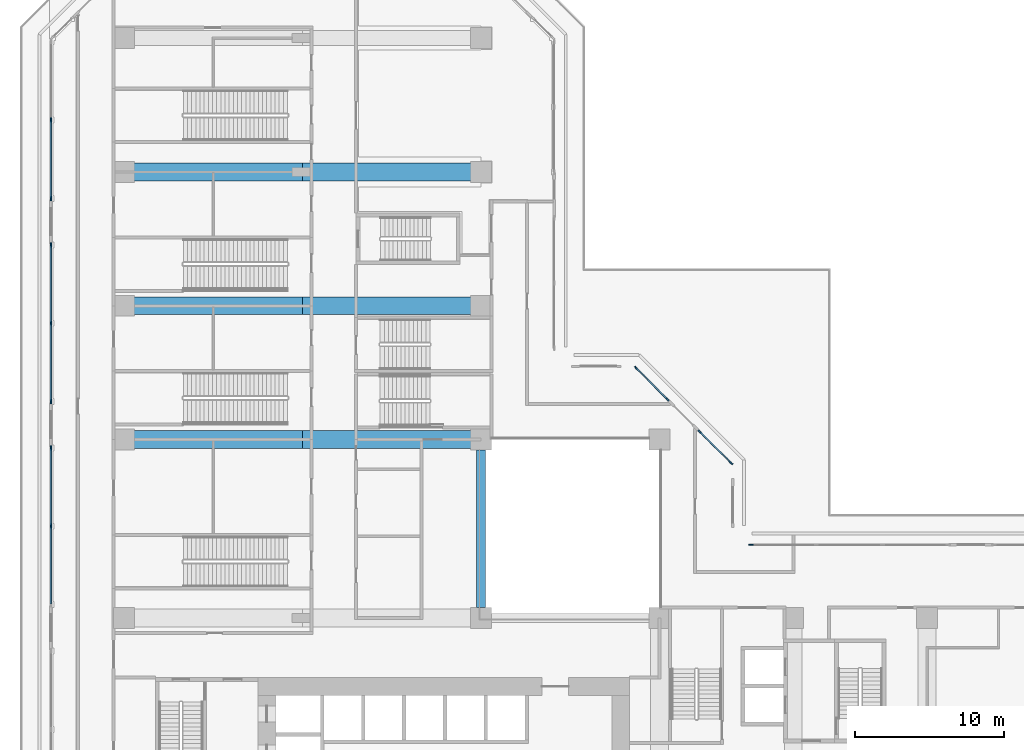
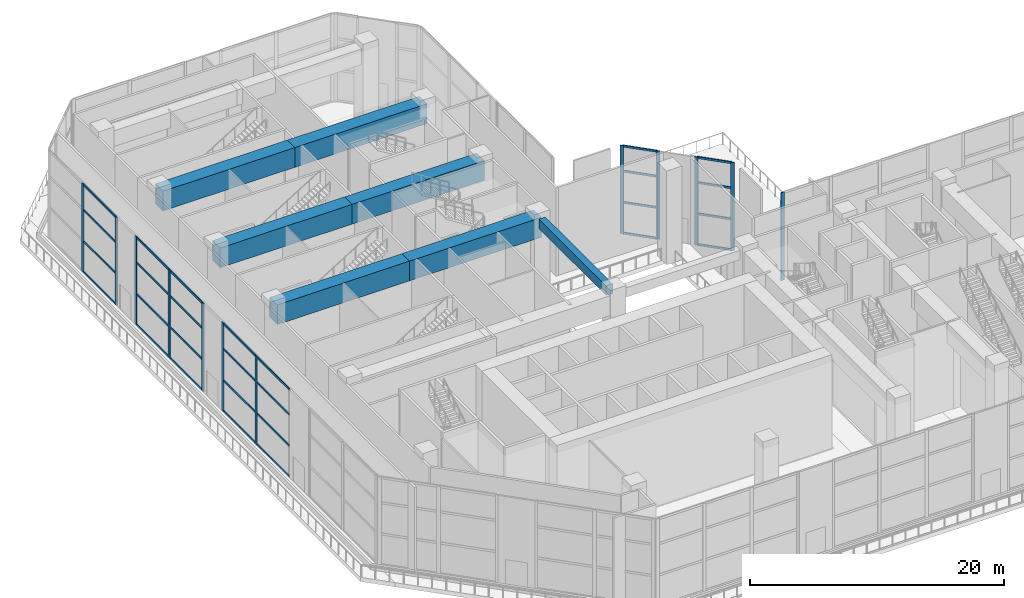
# One storey, part 4 of 28: 40 members, 7 beams, 6 elements without a shape of their own.
"""IFC4 building model written with IfcOpenShell, lengths in metres."""

from ifc_helpers import new_model, si_unit, direction, frame, frame_2d, origin, origin_2d, place, context, subcontext, project, spatial, rectangle, extrude, material, layer, layer_set, material_profile, profile_set, type_object, element, aggregate, save


model = new_model("IFC4")

# Units and contexts
model_context = context("Model", 3, precision=1e-05, world=origin(), true_north=direction((0.0, 1.0)))
body_context = subcontext(model_context, "Body", "Model", "MODEL_VIEW")
ifc_project = project(units=[si_unit("LENGTHUNIT", "METRE"), si_unit("AREAUNIT", "SQUARE_METRE"), si_unit("VOLUMEUNIT", "CUBIC_METRE"), si_unit("PLANEANGLEUNIT", "RADIAN"), si_unit("MASSUNIT", "GRAM", prefix="KILO")], contexts=[model_context])

# Site, building, storey
site_placement = place(None, origin())
site = spatial("IfcSite", under=ifc_project, at=site_placement, CompositionType="ELEMENT")
building_placement = place(site_placement, origin())
building = spatial("IfcBuilding", under=site, at=building_placement, Name="Chenar Terraces", CompositionType="ELEMENT")
storey_placement = place(building_placement, frame((0.0, 0.0, 26.39990234375)))
storey = spatial("IfcBuildingStorey", under=building, at=storey_placement, Name="L05", CompositionType="ELEMENT", Elevation=26.39990234375)

# Beam
ifc_material_1 = material(Name="Concrete C40/50", Category="concrete")
ifc_material_profile_1 = material_profile(ifc_material_1, rectangle(XDim=0.60009765625, YDim=0.89990234375, at=origin_2d()), Name="RC 600 x 900")
ifc_profile_set_1 = profile_set([ifc_material_profile_1], Name="Concrete C40/50")
beam_type_1 = type_object("IfcBeamType", Name="Atrium edge beam 600 x 900 Concrete C40/50", PredefinedType="BEAM", material=ifc_profile_set_1)
beam_placement = place(storey_placement, frame((24.0, 35.300048828125, 8.0), z_axis=(0.0, -1.0, 0.0), x_axis=(1.0, 0.0, 0.0)))
element("IfcBeam", 1, at=beam_placement, inside=storey, type_object=beam_type_1, Name="Atrium edge beam L06 4", PredefinedType="BEAM", context=body_context, shape_type="SweptSolid", body=[
    extrude(rectangle(XDim=0.60009765625, YDim=0.89990234375, at=origin_2d()), origin(), (0.0, 0.0, 1.0), 10.60009765625),
])

# Curtain wall, member
ifc_material_2 = material(Name="Aluminium framed glazing", Category="aluminium")
ifc_layer = layer(ifc_material_2, 0.14990234375)
ifc_layer_set = layer_set([ifc_layer], Name="Aluminium framed glazing")
curtain_wall_type = type_object("IfcCurtainWallType", Name="Hall curtain wall", PredefinedType="NOTDEFINED", material=ifc_layer_set)
placement = place(storey_placement, origin())
curtain_wall_1 = element("IfcCurtainWall", 2, at=placement, inside=storey, type_object=curtain_wall_type, Name="Hall curtain wall", PredefinedType="NOTDEFINED")
ifc_material_3 = material(Name="Aluminium", Category="aluminium")
ifc_material_profile_2 = material_profile(ifc_material_3, rectangle(XDim=0.090087890625, YDim=0.300048828125, at=origin_2d()), Name="Hall glazing mullion 90 x 300")
ifc_profile_set_2 = profile_set([ifc_material_profile_2], Name="Aluminium")
member_type_1 = type_object("IfcMemberType", Name="Hall glazing mullion 90 x 300", PredefinedType="MULLION", material=ifc_profile_set_2)
member_1_placement = place(storey_placement, frame((42.144775390625, 28.925048828125, 0.0), z_axis=(0.0, 0.0, 1.0), x_axis=(0.0, -1.0, 0.0)))
member_1 = element("IfcMember", 3, at=member_1_placement, type_object=member_type_1, Name="CW5-02c1 mullion 4", PredefinedType="MULLION", context=body_context, shape_type="SweptSolid", body=[
    extrude(rectangle(XDim=0.090087890625, YDim=0.300048828125, at=origin_2d()), origin(), (0.0, 0.0, 1.0), 8.4501953125),
])
aggregate(curtain_wall_1, [member_1])

# Curtain wall, members
curtain_wall_2 = element("IfcCurtainWall", 4, at=placement, inside=storey, type_object=curtain_wall_type, Name="Hall curtain wall", PredefinedType="NOTDEFINED")
member_2_placement = place(storey_placement, frame((40.80908203125, 34.4345703125, 0.0), z_axis=(0.0, 0.0, 1.0), x_axis=(-0.707106781187, -0.707106781187, 0.0)))
member_2 = element("IfcMember", 5, at=member_2_placement, type_object=member_type_1, Name="CW5-04c0 mullion 1", PredefinedType="MULLION", context=body_context, shape_type="SweptSolid", body=[
    extrude(rectangle(XDim=0.090087890625, YDim=0.300048828125, at=origin_2d()), origin(), (0.0, 0.0, 1.0), 8.4501953125),
])
member_3_placement = place(storey_placement, frame((38.72314453125, 36.5205078125, 0.0), z_axis=(0.0, 0.0, 1.0), x_axis=(-0.707106781187, -0.707106781187, 0.0)))
member_3 = element("IfcMember", 6, at=member_3_placement, type_object=member_type_1, Name="CW5-04c0 mullion 2", PredefinedType="MULLION", context=body_context, shape_type="SweptSolid", body=[
    extrude(rectangle(XDim=0.090087890625, YDim=0.300048828125, at=origin_2d()), origin(), (0.0, 0.0, 1.0), 8.4501953125),
])

curtain_wall_3 = element("IfcCurtainWall", 7, at=placement, inside=storey, type_object=curtain_wall_type, Name="Hall curtain wall", PredefinedType="NOTDEFINED")
member_4_placement = place(storey_placement, frame((36.5205078125, 38.72314453125, 0.0), z_axis=(0.0, 0.0, 1.0), x_axis=(-0.707106781187, -0.707106781187, 0.0)))
member_4 = element("IfcMember", 8, at=member_4_placement, type_object=member_type_1, Name="CW5-04c1 mullion 1", PredefinedType="MULLION", context=body_context, shape_type="SweptSolid", body=[
    extrude(rectangle(XDim=0.090087890625, YDim=0.300048828125, at=origin_2d()), origin(), (0.0, 0.0, 1.0), 8.4501953125),
])
member_5_placement = place(storey_placement, frame((34.4345703125, 40.80908203125, 0.0), z_axis=(0.0, 0.0, 1.0), x_axis=(-0.707106781187, -0.707106781187, 0.0)))
member_5 = element("IfcMember", 9, at=member_5_placement, type_object=member_type_1, Name="CW5-04c1 mullion 2", PredefinedType="MULLION", context=body_context, shape_type="SweptSolid", body=[
    extrude(rectangle(XDim=0.090087890625, YDim=0.300048828125, at=origin_2d()), origin(), (0.0, 0.0, 1.0), 8.4501953125),
])

curtain_wall_4 = element("IfcCurtainWall", 10, at=placement, inside=storey, type_object=curtain_wall_type, Name="Hall curtain wall", PredefinedType="NOTDEFINED")
member_6_placement = place(storey_placement, frame((-4.925048828125, 57.48095703125, 0.0), z_axis=(0.0, 0.0, 1.0), x_axis=(1.0, 0.0, 0.0)))
member_6 = element("IfcMember", 11, at=member_6_placement, type_object=member_type_1, Name="CW5-10c0 mullion 2", PredefinedType="MULLION", context=body_context, shape_type="SweptSolid", body=[
    extrude(rectangle(XDim=0.090087890625, YDim=0.300048828125, at=origin_2d()), origin(), (0.0, 0.0, 1.0), 8.4501953125),
])
member_7_placement = place(storey_placement, frame((-4.925048828125, 52.207275390625, 0.0), z_axis=(0.0, 0.0, 1.0), x_axis=(1.0, 0.0, 0.0)))
member_7 = element("IfcMember", 12, at=member_7_placement, type_object=member_type_1, Name="CW5-10c0 mullion 3", PredefinedType="MULLION", context=body_context, shape_type="SweptSolid", body=[
    extrude(rectangle(XDim=0.090087890625, YDim=0.300048828125, at=origin_2d()), origin(), (0.0, 0.0, 1.0), 8.4501953125),
])

curtain_wall_5 = element("IfcCurtainWall", 13, at=placement, inside=storey, type_object=curtain_wall_type, Name="Hall curtain wall", PredefinedType="NOTDEFINED")
member_8_placement = place(storey_placement, frame((-4.925048828125, 49.09228515625, 0.0), z_axis=(0.0, 0.0, 1.0), x_axis=(1.0, 0.0, 0.0)))
member_8 = element("IfcMember", 14, at=member_8_placement, type_object=member_type_1, Name="CW5-10c1 mullion 1", PredefinedType="MULLION", context=body_context, shape_type="SweptSolid", body=[
    extrude(rectangle(XDim=0.090087890625, YDim=0.300048828125, at=origin_2d()), origin(), (0.0, 0.0, 1.0), 8.4501953125),
])
member_9_placement = place(storey_placement, frame((-4.925048828125, 43.824951171875, 0.0), z_axis=(0.0, 0.0, 1.0), x_axis=(1.0, 0.0, 0.0)))
member_9 = element("IfcMember", 15, at=member_9_placement, type_object=member_type_1, Name="CW5-10c1 mullion 2", PredefinedType="MULLION", context=body_context, shape_type="SweptSolid", body=[
    extrude(rectangle(XDim=0.090087890625, YDim=0.300048828125, at=origin_2d()), origin(), (0.0, 0.0, 1.0), 8.4501953125),
])
member_10_placement = place(storey_placement, frame((-4.925048828125, 38.5576171875, 0.0), z_axis=(0.0, 0.0, 1.0), x_axis=(1.0, 0.0, 0.0)))
member_10 = element("IfcMember", 16, at=member_10_placement, type_object=member_type_1, Name="CW5-10c1 mullion 3", PredefinedType="MULLION", context=body_context, shape_type="SweptSolid", body=[
    extrude(rectangle(XDim=0.090087890625, YDim=0.300048828125, at=origin_2d()), origin(), (0.0, 0.0, 1.0), 8.4501953125),
])

curtain_wall_6 = element("IfcCurtainWall", 17, at=placement, inside=storey, type_object=curtain_wall_type, Name="Hall curtain wall", PredefinedType="NOTDEFINED")
member_11_placement = place(storey_placement, frame((-4.925048828125, 35.4423828125, 0.0), z_axis=(0.0, 0.0, 1.0), x_axis=(1.0, 0.0, 0.0)))
member_11 = element("IfcMember", 18, at=member_11_placement, type_object=member_type_1, Name="CW5-10c2 mullion 1", PredefinedType="MULLION", context=body_context, shape_type="SweptSolid", body=[
    extrude(rectangle(XDim=0.090087890625, YDim=0.300048828125, at=origin_2d()), origin(), (0.0, 0.0, 1.0), 8.4501953125),
])
member_12_placement = place(storey_placement, frame((-4.925048828125, 30.175048828125, 0.0), z_axis=(0.0, 0.0, 1.0), x_axis=(1.0, 0.0, 0.0)))
member_12 = element("IfcMember", 19, at=member_12_placement, type_object=member_type_1, Name="CW5-10c2 mullion 2", PredefinedType="MULLION", context=body_context, shape_type="SweptSolid", body=[
    extrude(rectangle(XDim=0.090087890625, YDim=0.300048828125, at=origin_2d()), origin(), (0.0, 0.0, 1.0), 8.4501953125),
])

# Member
ifc_material_4 = material(Name="Aluminium", Category="aluminium")
ifc_material_profile_3 = material_profile(ifc_material_4, rectangle(XDim=0.090087890625, YDim=0.199951171875, at=origin_2d()), Name="Hall glazing transom 90 x 200")
ifc_profile_set_3 = profile_set([ifc_material_profile_3], Name="Aluminium")
member_type_2 = type_object("IfcMemberType", Name="Hall glazing transom 90 x 200", PredefinedType="USERDEFINED", material=ifc_profile_set_3)
member_13_placement = place(storey_placement, frame((40.77734375, 34.46630859375, 0.045166015625), z_axis=(-0.707106781187, 0.707106781187, 0.0), x_axis=(-0.707106781187, -0.707106781187, 0.0)))
member_13 = element("IfcMember", 20, at=member_13_placement, type_object=member_type_2, Name="CW5-04c0 transom 1.1", ObjectType="TRANSOM", PredefinedType="USERDEFINED", context=body_context, shape_type="SweptSolid", body=[
    extrude(rectangle(XDim=0.090087890625, YDim=0.199951171875, at=origin_2d()), origin(), (0.0, 0.0, 1.0), 2.860107421875),
])

member_14_placement = place(storey_placement, frame((40.77734375, 34.46630859375, 3.0), z_axis=(-0.707106781187, 0.707106781187, 0.0), x_axis=(-0.707106781187, -0.707106781187, 0.0)))
member_14 = element("IfcMember", 21, at=member_14_placement, type_object=member_type_2, Name="CW5-04c0 transom 1.2", ObjectType="TRANSOM", PredefinedType="USERDEFINED", context=body_context, shape_type="SweptSolid", body=[
    extrude(rectangle(XDim=0.090087890625, YDim=0.199951171875, at=origin_2d()), origin(), (0.0, 0.0, 1.0), 2.860107421875),
])

member_15_placement = place(storey_placement, frame((40.77734375, 34.46630859375, 6.0), z_axis=(-0.707106781187, 0.707106781187, 0.0), x_axis=(-0.707106781187, -0.707106781187, 0.0)))
member_15 = element("IfcMember", 22, at=member_15_placement, type_object=member_type_2, Name="CW5-04c0 transom 1.3", ObjectType="TRANSOM", PredefinedType="USERDEFINED", context=body_context, shape_type="SweptSolid", body=[
    extrude(rectangle(XDim=0.090087890625, YDim=0.199951171875, at=origin_2d()), origin(), (0.0, 0.0, 1.0), 2.860107421875),
])

member_16_placement = place(storey_placement, frame((40.77734375, 34.46630859375, 8.405029296875), z_axis=(-0.707106781187, 0.707106781187, 0.0), x_axis=(-0.707106781187, -0.707106781187, 0.0)))
member_16 = element("IfcMember", 23, at=member_16_placement, type_object=member_type_2, Name="CW5-04c0 transom 1.4", ObjectType="TRANSOM", PredefinedType="USERDEFINED", context=body_context, shape_type="SweptSolid", body=[
    extrude(rectangle(XDim=0.090087890625, YDim=0.199951171875, at=origin_2d()), origin(), (0.0, 0.0, 1.0), 2.860107421875),
])

aggregate(curtain_wall_2, [member_2, member_3, member_13, member_14, member_15, member_16])

member_17_placement = place(storey_placement, frame((36.48876953125, 38.7548828125, 0.045166015625), z_axis=(-0.707106781187, 0.707106781187, 0.0), x_axis=(-0.707106781187, -0.707106781187, 0.0)))
member_17 = element("IfcMember", 24, at=member_17_placement, type_object=member_type_2, Name="CW5-04c1 transom 1.1", ObjectType="TRANSOM", PredefinedType="USERDEFINED", context=body_context, shape_type="SweptSolid", body=[
    extrude(rectangle(XDim=0.090087890625, YDim=0.199951171875, at=origin_2d()), origin(), (0.0, 0.0, 1.0), 2.860107421875),
])

member_18_placement = place(storey_placement, frame((36.48876953125, 38.7548828125, 3.0), z_axis=(-0.707106781187, 0.707106781187, 0.0), x_axis=(-0.707106781187, -0.707106781187, 0.0)))
member_18 = element("IfcMember", 25, at=member_18_placement, type_object=member_type_2, Name="CW5-04c1 transom 1.2", ObjectType="TRANSOM", PredefinedType="USERDEFINED", context=body_context, shape_type="SweptSolid", body=[
    extrude(rectangle(XDim=0.090087890625, YDim=0.199951171875, at=origin_2d()), origin(), (0.0, 0.0, 1.0), 2.860107421875),
])

member_19_placement = place(storey_placement, frame((36.48876953125, 38.7548828125, 6.0), z_axis=(-0.707106781187, 0.707106781187, 0.0), x_axis=(-0.707106781187, -0.707106781187, 0.0)))
member_19 = element("IfcMember", 26, at=member_19_placement, type_object=member_type_2, Name="CW5-04c1 transom 1.3", ObjectType="TRANSOM", PredefinedType="USERDEFINED", context=body_context, shape_type="SweptSolid", body=[
    extrude(rectangle(XDim=0.090087890625, YDim=0.199951171875, at=origin_2d()), origin(), (0.0, 0.0, 1.0), 2.860107421875),
])

member_20_placement = place(storey_placement, frame((36.48876953125, 38.7548828125, 8.405029296875), z_axis=(-0.707106781187, 0.707106781187, 0.0), x_axis=(-0.707106781187, -0.707106781187, 0.0)))
member_20 = element("IfcMember", 27, at=member_20_placement, type_object=member_type_2, Name="CW5-04c1 transom 1.4", ObjectType="TRANSOM", PredefinedType="USERDEFINED", context=body_context, shape_type="SweptSolid", body=[
    extrude(rectangle(XDim=0.090087890625, YDim=0.199951171875, at=origin_2d()), origin(), (0.0, 0.0, 1.0), 2.860107421875),
])

aggregate(curtain_wall_3, [member_4, member_5, member_17, member_18, member_19, member_20])

member_21_placement = place(storey_placement, frame((-4.925048828125, 57.43603515625, 0.045166015625), z_axis=(0.0, -1.0, 0.0), x_axis=(1.0, 0.0, 0.0)))
member_21 = element("IfcMember", 28, at=member_21_placement, type_object=member_type_2, Name="CW5-10c0 transom 2.1", ObjectType="TRANSOM", PredefinedType="USERDEFINED", context=body_context, shape_type="SweptSolid", body=[
    extrude(rectangle(XDim=0.090087890625, YDim=0.199951171875, at=origin_2d()), origin(), (0.0, 0.0, 1.0), 5.18359375),
])

member_22_placement = place(storey_placement, frame((-4.925048828125, 57.43603515625, 3.0), z_axis=(0.0, -1.0, 0.0), x_axis=(1.0, 0.0, 0.0)))
member_22 = element("IfcMember", 29, at=member_22_placement, type_object=member_type_2, Name="CW5-10c0 transom 2.2", ObjectType="TRANSOM", PredefinedType="USERDEFINED", context=body_context, shape_type="SweptSolid", body=[
    extrude(rectangle(XDim=0.090087890625, YDim=0.199951171875, at=origin_2d()), origin(), (0.0, 0.0, 1.0), 5.18359375),
])

member_23_placement = place(storey_placement, frame((-4.925048828125, 57.43603515625, 6.0), z_axis=(0.0, -1.0, 0.0), x_axis=(1.0, 0.0, 0.0)))
member_23 = element("IfcMember", 30, at=member_23_placement, type_object=member_type_2, Name="CW5-10c0 transom 2.3", ObjectType="TRANSOM", PredefinedType="USERDEFINED", context=body_context, shape_type="SweptSolid", body=[
    extrude(rectangle(XDim=0.090087890625, YDim=0.199951171875, at=origin_2d()), origin(), (0.0, 0.0, 1.0), 5.18359375),
])

member_24_placement = place(storey_placement, frame((-4.925048828125, 57.43603515625, 8.405029296875), z_axis=(0.0, -1.0, 0.0), x_axis=(1.0, 0.0, 0.0)))
member_24 = element("IfcMember", 31, at=member_24_placement, type_object=member_type_2, Name="CW5-10c0 transom 2.4", ObjectType="TRANSOM", PredefinedType="USERDEFINED", context=body_context, shape_type="SweptSolid", body=[
    extrude(rectangle(XDim=0.090087890625, YDim=0.199951171875, at=origin_2d()), origin(), (0.0, 0.0, 1.0), 5.18359375),
])

aggregate(curtain_wall_4, [member_6, member_7, member_21, member_22, member_23, member_24])

member_25_placement = place(storey_placement, frame((-4.925048828125, 49.04736328125, 0.045166015625), z_axis=(0.0, -1.0, 0.0), x_axis=(1.0, 0.0, 0.0)))
member_25 = element("IfcMember", 32, at=member_25_placement, type_object=member_type_2, Name="CW5-10c1 transom 1.1", ObjectType="TRANSOM", PredefinedType="USERDEFINED", context=body_context, shape_type="SweptSolid", body=[
    extrude(rectangle(XDim=0.090087890625, YDim=0.199951171875, at=origin_2d()), origin(), (0.0, 0.0, 1.0), 5.177490234375),
])

member_26_placement = place(storey_placement, frame((-4.925048828125, 49.04736328125, 3.0), z_axis=(0.0, -1.0, 0.0), x_axis=(1.0, 0.0, 0.0)))
member_26 = element("IfcMember", 33, at=member_26_placement, type_object=member_type_2, Name="CW5-10c1 transom 1.2", ObjectType="TRANSOM", PredefinedType="USERDEFINED", context=body_context, shape_type="SweptSolid", body=[
    extrude(rectangle(XDim=0.090087890625, YDim=0.199951171875, at=origin_2d()), origin(), (0.0, 0.0, 1.0), 5.177490234375),
])

member_27_placement = place(storey_placement, frame((-4.925048828125, 49.04736328125, 6.0), z_axis=(0.0, -1.0, 0.0), x_axis=(1.0, 0.0, 0.0)))
member_27 = element("IfcMember", 34, at=member_27_placement, type_object=member_type_2, Name="CW5-10c1 transom 1.3", ObjectType="TRANSOM", PredefinedType="USERDEFINED", context=body_context, shape_type="SweptSolid", body=[
    extrude(rectangle(XDim=0.090087890625, YDim=0.199951171875, at=origin_2d()), origin(), (0.0, 0.0, 1.0), 5.177490234375),
])

member_28_placement = place(storey_placement, frame((-4.925048828125, 49.04736328125, 8.405029296875), z_axis=(0.0, -1.0, 0.0), x_axis=(1.0, 0.0, 0.0)))
member_28 = element("IfcMember", 35, at=member_28_placement, type_object=member_type_2, Name="CW5-10c1 transom 1.4", ObjectType="TRANSOM", PredefinedType="USERDEFINED", context=body_context, shape_type="SweptSolid", body=[
    extrude(rectangle(XDim=0.090087890625, YDim=0.199951171875, at=origin_2d()), origin(), (0.0, 0.0, 1.0), 5.177490234375),
])

member_29_placement = place(storey_placement, frame((-4.925048828125, 43.780029296875, 0.045166015625), z_axis=(0.0, -1.0, 0.0), x_axis=(1.0, 0.0, 0.0)))
member_29 = element("IfcMember", 36, at=member_29_placement, type_object=member_type_2, Name="CW5-10c1 transom 2.1", ObjectType="TRANSOM", PredefinedType="USERDEFINED", context=body_context, shape_type="SweptSolid", body=[
    extrude(rectangle(XDim=0.090087890625, YDim=0.199951171875, at=origin_2d()), origin(), (0.0, 0.0, 1.0), 5.177490234375),
])

member_30_placement = place(storey_placement, frame((-4.925048828125, 43.780029296875, 3.0), z_axis=(0.0, -1.0, 0.0), x_axis=(1.0, 0.0, 0.0)))
member_30 = element("IfcMember", 37, at=member_30_placement, type_object=member_type_2, Name="CW5-10c1 transom 2.2", ObjectType="TRANSOM", PredefinedType="USERDEFINED", context=body_context, shape_type="SweptSolid", body=[
    extrude(rectangle(XDim=0.090087890625, YDim=0.199951171875, at=origin_2d()), origin(), (0.0, 0.0, 1.0), 5.177490234375),
])

member_31_placement = place(storey_placement, frame((-4.925048828125, 43.780029296875, 6.0), z_axis=(0.0, -1.0, 0.0), x_axis=(1.0, 0.0, 0.0)))
member_31 = element("IfcMember", 38, at=member_31_placement, type_object=member_type_2, Name="CW5-10c1 transom 2.3", ObjectType="TRANSOM", PredefinedType="USERDEFINED", context=body_context, shape_type="SweptSolid", body=[
    extrude(rectangle(XDim=0.090087890625, YDim=0.199951171875, at=origin_2d()), origin(), (0.0, 0.0, 1.0), 5.177490234375),
])

member_32_placement = place(storey_placement, frame((-4.925048828125, 43.780029296875, 8.405029296875), z_axis=(0.0, -1.0, 0.0), x_axis=(1.0, 0.0, 0.0)))
member_32 = element("IfcMember", 39, at=member_32_placement, type_object=member_type_2, Name="CW5-10c1 transom 2.4", ObjectType="TRANSOM", PredefinedType="USERDEFINED", context=body_context, shape_type="SweptSolid", body=[
    extrude(rectangle(XDim=0.090087890625, YDim=0.199951171875, at=origin_2d()), origin(), (0.0, 0.0, 1.0), 5.177490234375),
])

aggregate(curtain_wall_5, [member_8, member_9, member_10, member_25, member_26, member_27, member_28, member_29, member_30, member_31, member_32])

member_33_placement = place(storey_placement, frame((-4.925048828125, 35.3974609375, 0.045166015625), z_axis=(0.0, -1.0, 0.0), x_axis=(1.0, 0.0, 0.0)))
member_33 = element("IfcMember", 40, at=member_33_placement, type_object=member_type_2, Name="CW5-10c2 transom 1.1", ObjectType="TRANSOM", PredefinedType="USERDEFINED", context=body_context, shape_type="SweptSolid", body=[
    extrude(rectangle(XDim=0.090087890625, YDim=0.199951171875, at=origin_2d()), origin(), (0.0, 0.0, 1.0), 5.177490234375),
])

member_34_placement = place(storey_placement, frame((-4.925048828125, 35.3974609375, 3.0), z_axis=(0.0, -1.0, 0.0), x_axis=(1.0, 0.0, 0.0)))
member_34 = element("IfcMember", 41, at=member_34_placement, type_object=member_type_2, Name="CW5-10c2 transom 1.2", ObjectType="TRANSOM", PredefinedType="USERDEFINED", context=body_context, shape_type="SweptSolid", body=[
    extrude(rectangle(XDim=0.090087890625, YDim=0.199951171875, at=origin_2d()), origin(), (0.0, 0.0, 1.0), 5.177490234375),
])

member_35_placement = place(storey_placement, frame((-4.925048828125, 35.3974609375, 6.0), z_axis=(0.0, -1.0, 0.0), x_axis=(1.0, 0.0, 0.0)))
member_35 = element("IfcMember", 42, at=member_35_placement, type_object=member_type_2, Name="CW5-10c2 transom 1.3", ObjectType="TRANSOM", PredefinedType="USERDEFINED", context=body_context, shape_type="SweptSolid", body=[
    extrude(rectangle(XDim=0.090087890625, YDim=0.199951171875, at=origin_2d()), origin(), (0.0, 0.0, 1.0), 5.177490234375),
])

member_36_placement = place(storey_placement, frame((-4.925048828125, 35.3974609375, 8.405029296875), z_axis=(0.0, -1.0, 0.0), x_axis=(1.0, 0.0, 0.0)))
member_36 = element("IfcMember", 43, at=member_36_placement, type_object=member_type_2, Name="CW5-10c2 transom 1.4", ObjectType="TRANSOM", PredefinedType="USERDEFINED", context=body_context, shape_type="SweptSolid", body=[
    extrude(rectangle(XDim=0.090087890625, YDim=0.199951171875, at=origin_2d()), origin(), (0.0, 0.0, 1.0), 5.177490234375),
])

member_37_placement = place(storey_placement, frame((-4.925048828125, 30.130126953125, 0.045166015625), z_axis=(0.0, -1.0, 0.0), x_axis=(1.0, 0.0, 0.0)))
member_37 = element("IfcMember", 44, at=member_37_placement, type_object=member_type_2, Name="CW5-10c2 transom 2.1", ObjectType="TRANSOM", PredefinedType="USERDEFINED", context=body_context, shape_type="SweptSolid", body=[
    extrude(rectangle(XDim=0.090087890625, YDim=0.199951171875, at=origin_2d()), origin(), (0.0, 0.0, 1.0), 5.177490234375),
])

member_38_placement = place(storey_placement, frame((-4.925048828125, 30.130126953125, 3.0), z_axis=(0.0, -1.0, 0.0), x_axis=(1.0, 0.0, 0.0)))
member_38 = element("IfcMember", 45, at=member_38_placement, type_object=member_type_2, Name="CW5-10c2 transom 2.2", ObjectType="TRANSOM", PredefinedType="USERDEFINED", context=body_context, shape_type="SweptSolid", body=[
    extrude(rectangle(XDim=0.090087890625, YDim=0.199951171875, at=origin_2d()), origin(), (0.0, 0.0, 1.0), 5.177490234375),
])

member_39_placement = place(storey_placement, frame((-4.925048828125, 30.130126953125, 6.0), z_axis=(0.0, -1.0, 0.0), x_axis=(1.0, 0.0, 0.0)))
member_39 = element("IfcMember", 46, at=member_39_placement, type_object=member_type_2, Name="CW5-10c2 transom 2.3", ObjectType="TRANSOM", PredefinedType="USERDEFINED", context=body_context, shape_type="SweptSolid", body=[
    extrude(rectangle(XDim=0.090087890625, YDim=0.199951171875, at=origin_2d()), origin(), (0.0, 0.0, 1.0), 5.177490234375),
])

member_40_placement = place(storey_placement, frame((-4.925048828125, 30.130126953125, 8.405029296875), z_axis=(0.0, -1.0, 0.0), x_axis=(1.0, 0.0, 0.0)))
member_40 = element("IfcMember", 47, at=member_40_placement, type_object=member_type_2, Name="CW5-10c2 transom 2.4", ObjectType="TRANSOM", PredefinedType="USERDEFINED", context=body_context, shape_type="SweptSolid", body=[
    extrude(rectangle(XDim=0.090087890625, YDim=0.199951171875, at=origin_2d()), origin(), (0.0, 0.0, 1.0), 5.177490234375),
])

aggregate(curtain_wall_6, [member_11, member_12, member_33, member_34, member_35, member_36, member_37, member_38, member_39, member_40])

# Beams
ifc_material_5 = material(Name="Concrete C60/75", Category="concrete")
ifc_material_profile_4 = material_profile(ifc_material_5, rectangle(XDim=1.199951171875, YDim=1.89990234375, at=origin_2d()), Name="RC 1200 x 1900")
ifc_profile_set_4 = profile_set([ifc_material_profile_4], Name="Concrete C60/75")
beam_type_2 = type_object("IfcBeamType", Name="Transfer girder 1200 x 1900 Concrete C60/75", PredefinedType="BEAM", material=ifc_profile_set_4)
for number, where, z_axis, x_axis, name in (
    (48, (0.0, 36.0, 8.449951171875), (1.0, 0.0, 0.0), (0.0, 1.0, 0.0), "Transfer girder 6/H west"),
    (49, (12.0, 36.0, 8.449951171875), (1.0, 0.0, 0.0), (0.0, 1.0, 0.0), "Transfer girder 6/H east"),
    (50, (0.0, 45.0, 8.449951171875), (1.0, 0.0, 0.0), (0.0, 1.0, 0.0), "Transfer girder 6/J west"),
    (51, (12.0, 45.0, 8.449951171875), (1.0, 0.0, 0.0), (0.0, 1.0, 0.0), "Transfer girder 6/J east"),
    (52, (0.0, 54.0, 8.449951171875), (1.0, 0.0, 0.0), (0.0, 1.0, 0.0), "Transfer girder 6/K west"),
    (53, (12.0, 54.0, 8.449951171875), (1.0, 0.0, 0.0), (0.0, 1.0, 0.0), "Transfer girder 6/K east"),
):
    element("IfcBeam", number, at=place(storey_placement, frame(where, z_axis=z_axis, x_axis=x_axis)), inside=storey, type_object=beam_type_2, Name=name, PredefinedType="BEAM", context=body_context, shape_type="SweptSolid", body=[
        extrude(rectangle(XDim=1.199951171875, YDim=1.89990234375, at=frame_2d((0.0, -0.949951171875))), origin(), (0.0, 0.0, 1.0), 12.0),
    ])

save(model, "model.ifc")
